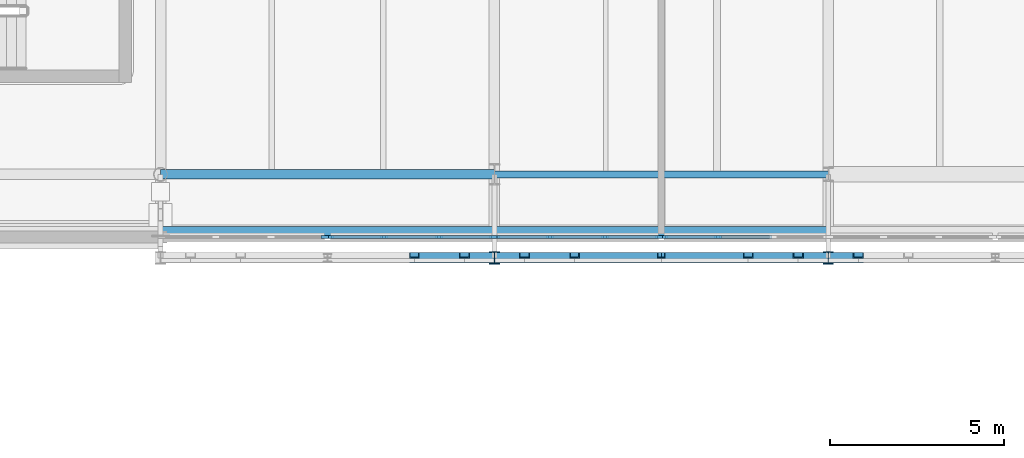
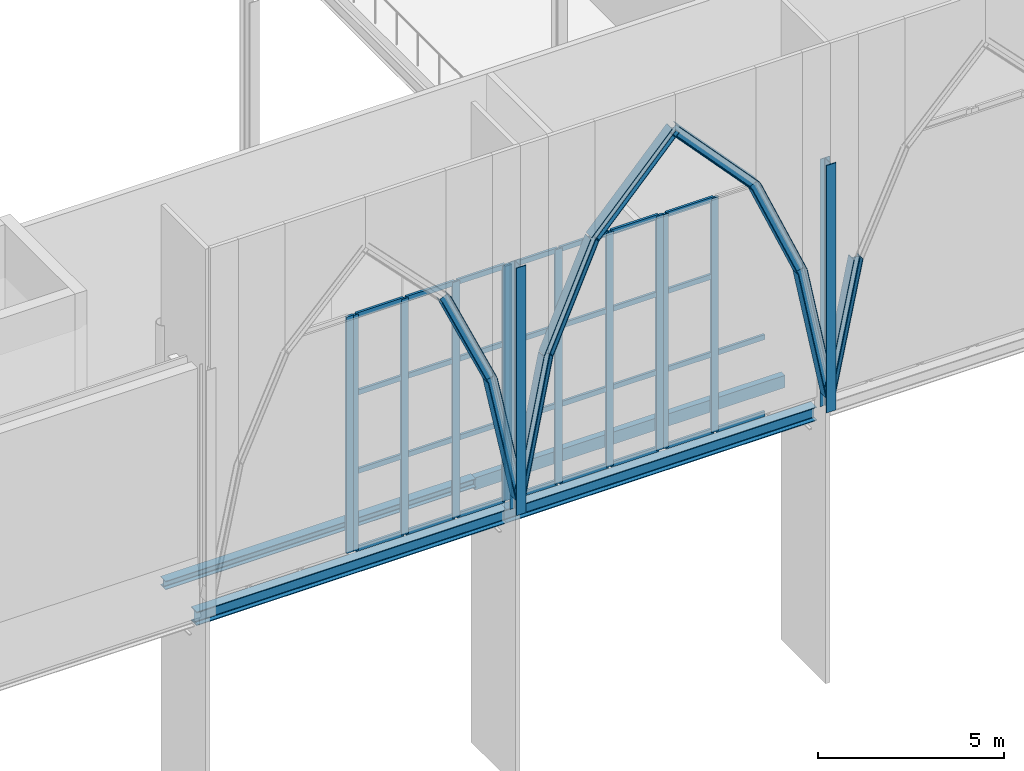
# One storey, part 25 of 79: 52 members, 4 beams, 4 elements without a shape of their own.
"""IFC4 building model written with IfcOpenShell, lengths in metres."""

from ifc_helpers import new_model, si_unit, direction, frame, origin, origin_2d, place, context, subcontext, project, spatial, rectangle, hollow_rectangle, i_section, extrude, material, layer, layer_set, material_profile, profile_set, type_object, element, aggregate, save


model = new_model("IFC4")

# Units and contexts
model_context = context("Model", 3, precision=1e-05, world=origin(), true_north=direction((0.0, 1.0)))
body_context = subcontext(model_context, "Body", "Model", "MODEL_VIEW")
ifc_project = project(units=[si_unit("LENGTHUNIT", "METRE"), si_unit("AREAUNIT", "SQUARE_METRE"), si_unit("VOLUMEUNIT", "CUBIC_METRE"), si_unit("PLANEANGLEUNIT", "RADIAN"), si_unit("MASSUNIT", "GRAM", prefix="KILO")], contexts=[model_context])

# Site, building, storey
site_placement = place(None, origin())
site = spatial("IfcSite", under=ifc_project, at=site_placement, CompositionType="ELEMENT")
building_placement = place(site_placement, origin())
building = spatial("IfcBuilding", under=site, at=building_placement, Name="Zereglee Splitstone Museum", CompositionType="ELEMENT")
storey_placement = place(building_placement, frame((0.0, 0.0, 9.0)))
storey = spatial("IfcBuildingStorey", under=building, at=storey_placement, Name="L02", CompositionType="ELEMENT", Elevation=9.0)

# Curtain wall, member
ifc_material_1 = material(Name="Triple-glazed low-E argon glass and bronze-anodised aluminium", Category="aluminium")
ifc_layer_1 = layer(ifc_material_1, 0.219970703125)
ifc_layer_set_1 = layer_set([ifc_layer_1], Name="Triple-glazed low-E argon glass and bronze-anodised aluminium")
curtain_wall_type_1 = type_object("IfcCurtainWallType", Name="CW-0476-774", PredefinedType="USERDEFINED", material=ifc_layer_set_1)
curtain_wall_1_placement = place(storey_placement, origin())
curtain_wall_1 = element("IfcCurtainWall", 1, at=curtain_wall_1_placement, inside=storey, type_object=curtain_wall_type_1, Name="Glazed Curtain Wall CW-0476-774 (L02)", ObjectType="GLAZED CURTAIN WALL", PredefinedType="USERDEFINED")
ifc_material_2 = material(Name="Thermally broken bronze-anodised aluminium", Category="aluminium")
ifc_material_profile_1 = material_profile(ifc_material_2, rectangle(XDim=0.074951171875, YDim=0.219970703125, at=origin_2d()), Name="CW MULL 75x220")
ifc_profile_set_1 = profile_set([ifc_material_profile_1], Name="Thermally broken bronze-anodised aluminium")
member_type_1 = type_object("IfcMemberType", Name="CWM-02", PredefinedType="MULLION", material=ifc_profile_set_1)
member_1_placement = place(storey_placement, frame((101.922607421875, 7.800048828125, 0.0), z_axis=(0.0, 0.0, 1.0), x_axis=(0.0, 1.0, 0.0)))
member_1 = element("IfcMember", 2, at=member_1_placement, type_object=member_type_1, Name="CW-0476-774 mullion 4", PredefinedType="MULLION", context=body_context, shape_type="SweptSolid", body=[
    extrude(rectangle(XDim=0.074951171875, YDim=0.219970703125, at=origin_2d()), origin(), (0.0, 0.0, 1.0), 7.739990234375),
])
aggregate(curtain_wall_1, [member_1])

# Curtain wall, members
ifc_layer_2 = layer(ifc_material_1, 0.219970703125)
ifc_layer_set_2 = layer_set([ifc_layer_2], Name="Triple-glazed low-E argon glass and bronze-anodised aluminium")
curtain_wall_type_2 = type_object("IfcCurtainWallType", Name="CW-0476-772", PredefinedType="USERDEFINED", material=ifc_layer_set_2)
curtain_wall_2_placement = place(storey_placement, origin())
curtain_wall_2 = element("IfcCurtainWall", 3, at=curtain_wall_2_placement, inside=storey, type_object=curtain_wall_type_2, Name="Glazed Curtain Wall CW-0476-772 (L02)", ObjectType="GLAZED CURTAIN WALL", PredefinedType="USERDEFINED")
member_2_placement = place(storey_placement, frame((102.077392578125, 7.800048828125, 0.0), z_axis=(0.0, 0.0, 1.0), x_axis=(0.0, 1.0, 0.0)))
member_2 = element("IfcMember", 4, at=member_2_placement, type_object=member_type_1, Name="CW-0476-772 mullion 1", PredefinedType="MULLION", context=body_context, shape_type="SweptSolid", body=[
    extrude(rectangle(XDim=0.074951171875, YDim=0.219970703125, at=origin_2d()), origin(), (0.0, 0.0, 1.0), 7.719970703125),
])
member_3_placement = place(storey_placement, frame((103.626708984375, 7.800048828125, 0.0), z_axis=(0.0, 0.0, 1.0), x_axis=(0.0, 1.0, 0.0)))
member_3 = element("IfcMember", 5, at=member_3_placement, type_object=member_type_1, Name="CW-0476-772 mullion 2", PredefinedType="MULLION", context=body_context, shape_type="SweptSolid", body=[
    extrude(rectangle(XDim=0.074951171875, YDim=0.219970703125, at=origin_2d()), origin(), (0.0, 0.0, 1.0), 7.719970703125),
])
member_4_placement = place(storey_placement, frame((105.21337890625, 7.800048828125, 0.0), z_axis=(0.0, 0.0, 1.0), x_axis=(0.0, 1.0, 0.0)))
member_4 = element("IfcMember", 6, at=member_4_placement, type_object=member_type_1, Name="CW-0476-772 mullion 3", PredefinedType="MULLION", context=body_context, shape_type="SweptSolid", body=[
    extrude(rectangle(XDim=0.074951171875, YDim=0.219970703125, at=origin_2d()), origin(), (0.0, 0.0, 1.0), 7.719970703125),
])
member_5_placement = place(storey_placement, frame((106.762451171875, 7.800048828125, 0.0), z_axis=(0.0, 0.0, 1.0), x_axis=(0.0, 1.0, 0.0)))
member_5 = element("IfcMember", 7, at=member_5_placement, type_object=member_type_1, Name="CW-0476-772 mullion 4", PredefinedType="MULLION", context=body_context, shape_type="SweptSolid", body=[
    extrude(rectangle(XDim=0.074951171875, YDim=0.219970703125, at=origin_2d()), origin(), (0.0, 0.0, 1.0), 7.719970703125),
])

ifc_layer_3 = layer(ifc_material_1, 0.219970703125)
ifc_layer_set_3 = layer_set([ifc_layer_3], Name="Triple-glazed low-E argon glass and bronze-anodised aluminium")
curtain_wall_type_3 = type_object("IfcCurtainWallType", Name="CW-0476-768", PredefinedType="USERDEFINED", material=ifc_layer_set_3)
curtain_wall_3_placement = place(storey_placement, origin())
curtain_wall_3 = element("IfcCurtainWall", 8, at=curtain_wall_3_placement, inside=storey, type_object=curtain_wall_type_3, Name="Glazed Curtain Wall CW-0476-768 (L02)", ObjectType="GLAZED CURTAIN WALL", PredefinedType="USERDEFINED")
member_6_placement = place(storey_placement, frame((106.83740234375, 7.800048828125, 0.0), z_axis=(0.0, 0.0, 1.0), x_axis=(0.0, 1.0, 0.0)))
member_6 = element("IfcMember", 9, at=member_6_placement, type_object=member_type_1, Name="CW-0476-768 mullion 1", PredefinedType="MULLION", context=body_context, shape_type="SweptSolid", body=[
    extrude(rectangle(XDim=0.074951171875, YDim=0.219970703125, at=origin_2d()), origin(), (0.0, 0.0, 1.0), 7.679931640625),
])
member_7_placement = place(storey_placement, frame((108.38671875, 7.800048828125, 0.0), z_axis=(0.0, 0.0, 1.0), x_axis=(0.0, 1.0, 0.0)))
member_7 = element("IfcMember", 10, at=member_7_placement, type_object=member_type_1, Name="CW-0476-768 mullion 2", PredefinedType="MULLION", context=body_context, shape_type="SweptSolid", body=[
    extrude(rectangle(XDim=0.074951171875, YDim=0.219970703125, at=origin_2d()), origin(), (0.0, 0.0, 1.0), 7.679931640625),
])
member_8_placement = place(storey_placement, frame((109.973388671875, 7.800048828125, 0.0), z_axis=(0.0, 0.0, 1.0), x_axis=(0.0, 1.0, 0.0)))
member_8 = element("IfcMember", 11, at=member_8_placement, type_object=member_type_1, Name="CW-0476-768 mullion 3", PredefinedType="MULLION", context=body_context, shape_type="SweptSolid", body=[
    extrude(rectangle(XDim=0.074951171875, YDim=0.219970703125, at=origin_2d()), origin(), (0.0, 0.0, 1.0), 7.679931640625),
])
member_9_placement = place(storey_placement, frame((111.5224609375, 7.800048828125, 0.0), z_axis=(0.0, 0.0, 1.0), x_axis=(0.0, 1.0, 0.0)))
member_9 = element("IfcMember", 12, at=member_9_placement, type_object=member_type_1, Name="CW-0476-768 mullion 4", PredefinedType="MULLION", context=body_context, shape_type="SweptSolid", body=[
    extrude(rectangle(XDim=0.074951171875, YDim=0.219970703125, at=origin_2d()), origin(), (0.0, 0.0, 1.0), 7.679931640625),
])

ifc_layer_4 = layer(ifc_material_1, 0.219970703125)
ifc_layer_set_4 = layer_set([ifc_layer_4], Name="Triple-glazed low-E argon glass and bronze-anodised aluminium")
curtain_wall_type_4 = type_object("IfcCurtainWallType", Name="CW-0476-766", PredefinedType="USERDEFINED", material=ifc_layer_set_4)
curtain_wall_4_placement = place(storey_placement, origin())
curtain_wall_4 = element("IfcCurtainWall", 13, at=curtain_wall_4_placement, inside=storey, type_object=curtain_wall_type_4, Name="Glazed Curtain Wall CW-0476-766 (L02)", ObjectType="GLAZED CURTAIN WALL", PredefinedType="USERDEFINED")
member_10_placement = place(storey_placement, frame((111.677490234375, 7.800048828125, 0.0), z_axis=(0.0, 0.0, 1.0), x_axis=(0.0, 1.0, 0.0)))
member_10 = element("IfcMember", 14, at=member_10_placement, type_object=member_type_1, Name="CW-0476-766 mullion 1", PredefinedType="MULLION", context=body_context, shape_type="SweptSolid", body=[
    extrude(rectangle(XDim=0.074951171875, YDim=0.219970703125, at=origin_2d()), origin(), (0.0, 0.0, 1.0), 7.659912109375),
])
member_11_placement = place(storey_placement, frame((113.2265625, 7.800048828125, 0.0), z_axis=(0.0, 0.0, 1.0), x_axis=(0.0, 1.0, 0.0)))
member_11 = element("IfcMember", 15, at=member_11_placement, type_object=member_type_1, Name="CW-0476-766 mullion 2", PredefinedType="MULLION", context=body_context, shape_type="SweptSolid", body=[
    extrude(rectangle(XDim=0.074951171875, YDim=0.219970703125, at=origin_2d()), origin(), (0.0, 0.0, 1.0), 7.659912109375),
])

# Member
ifc_material_profile_2 = material_profile(ifc_material_2, rectangle(XDim=0.074951171875, YDim=0.1650390625, at=origin_2d()), Name="CW TRAN 75x165")
ifc_profile_set_2 = profile_set([ifc_material_profile_2], Name="Thermally broken bronze-anodised aluminium")
member_type_2 = type_object("IfcMemberType", Name="CWT-02", PredefinedType="USERDEFINED", material=ifc_profile_set_2)
member_12_placement = place(storey_placement, frame((102.114990234375, 7.800048828125, 0.03759765625), z_axis=(1.0, 0.0, 0.0), x_axis=(0.0, 1.0, 0.0)))
member_12 = element("IfcMember", 16, at=member_12_placement, type_object=member_type_2, Name="CW-0476-772 transom 1.1", ObjectType="TRANSOM", PredefinedType="USERDEFINED", context=body_context, shape_type="SweptSolid", body=[
    extrude(rectangle(XDim=0.074951171875, YDim=0.1650390625, at=origin_2d()), origin(), (0.0, 0.0, 1.0), 1.47412109375),
])

member_13_placement = place(storey_placement, frame((102.114990234375, 7.800048828125, 2.5732421875), z_axis=(1.0, 0.0, 0.0), x_axis=(0.0, 1.0, 0.0)))
member_13 = element("IfcMember", 17, at=member_13_placement, type_object=member_type_2, Name="CW-0476-772 transom 1.2", ObjectType="TRANSOM", PredefinedType="USERDEFINED", context=body_context, shape_type="SweptSolid", body=[
    extrude(rectangle(XDim=0.074951171875, YDim=0.1650390625, at=origin_2d()), origin(), (0.0, 0.0, 1.0), 1.47412109375),
])

member_14_placement = place(storey_placement, frame((102.114990234375, 7.800048828125, 5.146728515625), z_axis=(1.0, 0.0, 0.0), x_axis=(0.0, 1.0, 0.0)))
member_14 = element("IfcMember", 18, at=member_14_placement, type_object=member_type_2, Name="CW-0476-772 transom 1.3", ObjectType="TRANSOM", PredefinedType="USERDEFINED", context=body_context, shape_type="SweptSolid", body=[
    extrude(rectangle(XDim=0.074951171875, YDim=0.1650390625, at=origin_2d()), origin(), (0.0, 0.0, 1.0), 1.47412109375),
])

member_15_placement = place(storey_placement, frame((102.114990234375, 7.800048828125, 7.6826171875), z_axis=(1.0, 0.0, 0.0), x_axis=(0.0, 1.0, 0.0)))
member_15 = element("IfcMember", 19, at=member_15_placement, type_object=member_type_2, Name="CW-0476-772 transom 1.4", ObjectType="TRANSOM", PredefinedType="USERDEFINED", context=body_context, shape_type="SweptSolid", body=[
    extrude(rectangle(XDim=0.074951171875, YDim=0.1650390625, at=origin_2d()), origin(), (0.0, 0.0, 1.0), 1.47412109375),
])

member_16_placement = place(storey_placement, frame((103.6640625, 7.800048828125, 0.03759765625), z_axis=(1.0, 0.0, 0.0), x_axis=(0.0, 1.0, 0.0)))
member_16 = element("IfcMember", 20, at=member_16_placement, type_object=member_type_2, Name="CW-0476-772 transom 2.1", ObjectType="TRANSOM", PredefinedType="USERDEFINED", context=body_context, shape_type="SweptSolid", body=[
    extrude(rectangle(XDim=0.074951171875, YDim=0.1650390625, at=origin_2d()), origin(), (0.0, 0.0, 1.0), 1.51171875),
])

member_17_placement = place(storey_placement, frame((103.6640625, 7.800048828125, 2.5732421875), z_axis=(1.0, 0.0, 0.0), x_axis=(0.0, 1.0, 0.0)))
member_17 = element("IfcMember", 21, at=member_17_placement, type_object=member_type_2, Name="CW-0476-772 transom 2.2", ObjectType="TRANSOM", PredefinedType="USERDEFINED", context=body_context, shape_type="SweptSolid", body=[
    extrude(rectangle(XDim=0.074951171875, YDim=0.1650390625, at=origin_2d()), origin(), (0.0, 0.0, 1.0), 1.51171875),
])

member_18_placement = place(storey_placement, frame((103.6640625, 7.800048828125, 5.146728515625), z_axis=(1.0, 0.0, 0.0), x_axis=(0.0, 1.0, 0.0)))
member_18 = element("IfcMember", 22, at=member_18_placement, type_object=member_type_2, Name="CW-0476-772 transom 2.3", ObjectType="TRANSOM", PredefinedType="USERDEFINED", context=body_context, shape_type="SweptSolid", body=[
    extrude(rectangle(XDim=0.074951171875, YDim=0.1650390625, at=origin_2d()), origin(), (0.0, 0.0, 1.0), 1.51171875),
])

member_19_placement = place(storey_placement, frame((103.6640625, 7.800048828125, 7.6826171875), z_axis=(1.0, 0.0, 0.0), x_axis=(0.0, 1.0, 0.0)))
member_19 = element("IfcMember", 23, at=member_19_placement, type_object=member_type_2, Name="CW-0476-772 transom 2.4", ObjectType="TRANSOM", PredefinedType="USERDEFINED", context=body_context, shape_type="SweptSolid", body=[
    extrude(rectangle(XDim=0.074951171875, YDim=0.1650390625, at=origin_2d()), origin(), (0.0, 0.0, 1.0), 1.51171875),
])

member_20_placement = place(storey_placement, frame((105.250732421875, 7.800048828125, 0.03759765625), z_axis=(1.0, 0.0, 0.0), x_axis=(0.0, 1.0, 0.0)))
member_20 = element("IfcMember", 24, at=member_20_placement, type_object=member_type_2, Name="CW-0476-772 transom 3.1", ObjectType="TRANSOM", PredefinedType="USERDEFINED", context=body_context, shape_type="SweptSolid", body=[
    extrude(rectangle(XDim=0.074951171875, YDim=0.1650390625, at=origin_2d()), origin(), (0.0, 0.0, 1.0), 1.474365234375),
])

member_21_placement = place(storey_placement, frame((105.250732421875, 7.800048828125, 2.5732421875), z_axis=(1.0, 0.0, 0.0), x_axis=(0.0, 1.0, 0.0)))
member_21 = element("IfcMember", 25, at=member_21_placement, type_object=member_type_2, Name="CW-0476-772 transom 3.2", ObjectType="TRANSOM", PredefinedType="USERDEFINED", context=body_context, shape_type="SweptSolid", body=[
    extrude(rectangle(XDim=0.074951171875, YDim=0.1650390625, at=origin_2d()), origin(), (0.0, 0.0, 1.0), 1.474365234375),
])

member_22_placement = place(storey_placement, frame((105.250732421875, 7.800048828125, 5.146728515625), z_axis=(1.0, 0.0, 0.0), x_axis=(0.0, 1.0, 0.0)))
member_22 = element("IfcMember", 26, at=member_22_placement, type_object=member_type_2, Name="CW-0476-772 transom 3.3", ObjectType="TRANSOM", PredefinedType="USERDEFINED", context=body_context, shape_type="SweptSolid", body=[
    extrude(rectangle(XDim=0.074951171875, YDim=0.1650390625, at=origin_2d()), origin(), (0.0, 0.0, 1.0), 1.474365234375),
])

member_23_placement = place(storey_placement, frame((105.250732421875, 7.800048828125, 7.6826171875), z_axis=(1.0, 0.0, 0.0), x_axis=(0.0, 1.0, 0.0)))
member_23 = element("IfcMember", 27, at=member_23_placement, type_object=member_type_2, Name="CW-0476-772 transom 3.4", ObjectType="TRANSOM", PredefinedType="USERDEFINED", context=body_context, shape_type="SweptSolid", body=[
    extrude(rectangle(XDim=0.074951171875, YDim=0.1650390625, at=origin_2d()), origin(), (0.0, 0.0, 1.0), 1.474365234375),
])

aggregate(curtain_wall_2, [member_2, member_3, member_4, member_5, member_12, member_13, member_14, member_15, member_16, member_17, member_18, member_19, member_20, member_21, member_22, member_23])

member_24_placement = place(storey_placement, frame((106.875, 7.800048828125, 0.03759765625), z_axis=(1.0, 0.0, 0.0), x_axis=(0.0, 1.0, 0.0)))
member_24 = element("IfcMember", 28, at=member_24_placement, type_object=member_type_2, Name="CW-0476-768 transom 1.1", ObjectType="TRANSOM", PredefinedType="USERDEFINED", context=body_context, shape_type="SweptSolid", body=[
    extrude(rectangle(XDim=0.074951171875, YDim=0.1650390625, at=origin_2d()), origin(), (0.0, 0.0, 1.0), 1.47412109375),
])

member_25_placement = place(storey_placement, frame((106.875, 7.800048828125, 2.56005859375), z_axis=(1.0, 0.0, 0.0), x_axis=(0.0, 1.0, 0.0)))
member_25 = element("IfcMember", 29, at=member_25_placement, type_object=member_type_2, Name="CW-0476-768 transom 1.2", ObjectType="TRANSOM", PredefinedType="USERDEFINED", context=body_context, shape_type="SweptSolid", body=[
    extrude(rectangle(XDim=0.074951171875, YDim=0.1650390625, at=origin_2d()), origin(), (0.0, 0.0, 1.0), 1.47412109375),
])

member_26_placement = place(storey_placement, frame((106.875, 7.800048828125, 5.1201171875), z_axis=(1.0, 0.0, 0.0), x_axis=(0.0, 1.0, 0.0)))
member_26 = element("IfcMember", 30, at=member_26_placement, type_object=member_type_2, Name="CW-0476-768 transom 1.3", ObjectType="TRANSOM", PredefinedType="USERDEFINED", context=body_context, shape_type="SweptSolid", body=[
    extrude(rectangle(XDim=0.074951171875, YDim=0.1650390625, at=origin_2d()), origin(), (0.0, 0.0, 1.0), 1.47412109375),
])

member_27_placement = place(storey_placement, frame((106.875, 7.800048828125, 7.642578125), z_axis=(1.0, 0.0, 0.0), x_axis=(0.0, 1.0, 0.0)))
member_27 = element("IfcMember", 31, at=member_27_placement, type_object=member_type_2, Name="CW-0476-768 transom 1.4", ObjectType="TRANSOM", PredefinedType="USERDEFINED", context=body_context, shape_type="SweptSolid", body=[
    extrude(rectangle(XDim=0.074951171875, YDim=0.1650390625, at=origin_2d()), origin(), (0.0, 0.0, 1.0), 1.47412109375),
])

member_28_placement = place(storey_placement, frame((108.424072265625, 7.800048828125, 0.03759765625), z_axis=(1.0, 0.0, 0.0), x_axis=(0.0, 1.0, 0.0)))
member_28 = element("IfcMember", 32, at=member_28_placement, type_object=member_type_2, Name="CW-0476-768 transom 2.1", ObjectType="TRANSOM", PredefinedType="USERDEFINED", context=body_context, shape_type="SweptSolid", body=[
    extrude(rectangle(XDim=0.074951171875, YDim=0.1650390625, at=origin_2d()), origin(), (0.0, 0.0, 1.0), 1.51171875),
])

member_29_placement = place(storey_placement, frame((108.424072265625, 7.800048828125, 2.56005859375), z_axis=(1.0, 0.0, 0.0), x_axis=(0.0, 1.0, 0.0)))
member_29 = element("IfcMember", 33, at=member_29_placement, type_object=member_type_2, Name="CW-0476-768 transom 2.2", ObjectType="TRANSOM", PredefinedType="USERDEFINED", context=body_context, shape_type="SweptSolid", body=[
    extrude(rectangle(XDim=0.074951171875, YDim=0.1650390625, at=origin_2d()), origin(), (0.0, 0.0, 1.0), 1.51171875),
])

member_30_placement = place(storey_placement, frame((108.424072265625, 7.800048828125, 5.1201171875), z_axis=(1.0, 0.0, 0.0), x_axis=(0.0, 1.0, 0.0)))
member_30 = element("IfcMember", 34, at=member_30_placement, type_object=member_type_2, Name="CW-0476-768 transom 2.3", ObjectType="TRANSOM", PredefinedType="USERDEFINED", context=body_context, shape_type="SweptSolid", body=[
    extrude(rectangle(XDim=0.074951171875, YDim=0.1650390625, at=origin_2d()), origin(), (0.0, 0.0, 1.0), 1.51171875),
])

member_31_placement = place(storey_placement, frame((108.424072265625, 7.800048828125, 7.642578125), z_axis=(1.0, 0.0, 0.0), x_axis=(0.0, 1.0, 0.0)))
member_31 = element("IfcMember", 35, at=member_31_placement, type_object=member_type_2, Name="CW-0476-768 transom 2.4", ObjectType="TRANSOM", PredefinedType="USERDEFINED", context=body_context, shape_type="SweptSolid", body=[
    extrude(rectangle(XDim=0.074951171875, YDim=0.1650390625, at=origin_2d()), origin(), (0.0, 0.0, 1.0), 1.51171875),
])

member_32_placement = place(storey_placement, frame((110.0107421875, 7.800048828125, 0.03759765625), z_axis=(1.0, 0.0, 0.0), x_axis=(0.0, 1.0, 0.0)))
member_32 = element("IfcMember", 36, at=member_32_placement, type_object=member_type_2, Name="CW-0476-768 transom 3.1", ObjectType="TRANSOM", PredefinedType="USERDEFINED", context=body_context, shape_type="SweptSolid", body=[
    extrude(rectangle(XDim=0.074951171875, YDim=0.1650390625, at=origin_2d()), origin(), (0.0, 0.0, 1.0), 1.474365234375),
])

member_33_placement = place(storey_placement, frame((110.0107421875, 7.800048828125, 2.56005859375), z_axis=(1.0, 0.0, 0.0), x_axis=(0.0, 1.0, 0.0)))
member_33 = element("IfcMember", 37, at=member_33_placement, type_object=member_type_2, Name="CW-0476-768 transom 3.2", ObjectType="TRANSOM", PredefinedType="USERDEFINED", context=body_context, shape_type="SweptSolid", body=[
    extrude(rectangle(XDim=0.074951171875, YDim=0.1650390625, at=origin_2d()), origin(), (0.0, 0.0, 1.0), 1.474365234375),
])

member_34_placement = place(storey_placement, frame((110.0107421875, 7.800048828125, 5.1201171875), z_axis=(1.0, 0.0, 0.0), x_axis=(0.0, 1.0, 0.0)))
member_34 = element("IfcMember", 38, at=member_34_placement, type_object=member_type_2, Name="CW-0476-768 transom 3.3", ObjectType="TRANSOM", PredefinedType="USERDEFINED", context=body_context, shape_type="SweptSolid", body=[
    extrude(rectangle(XDim=0.074951171875, YDim=0.1650390625, at=origin_2d()), origin(), (0.0, 0.0, 1.0), 1.474365234375),
])

member_35_placement = place(storey_placement, frame((110.0107421875, 7.800048828125, 7.642578125), z_axis=(1.0, 0.0, 0.0), x_axis=(0.0, 1.0, 0.0)))
member_35 = element("IfcMember", 39, at=member_35_placement, type_object=member_type_2, Name="CW-0476-768 transom 3.4", ObjectType="TRANSOM", PredefinedType="USERDEFINED", context=body_context, shape_type="SweptSolid", body=[
    extrude(rectangle(XDim=0.074951171875, YDim=0.1650390625, at=origin_2d()), origin(), (0.0, 0.0, 1.0), 1.474365234375),
])

aggregate(curtain_wall_3, [member_6, member_7, member_8, member_9, member_24, member_25, member_26, member_27, member_28, member_29, member_30, member_31, member_32, member_33, member_34, member_35])

member_36_placement = place(storey_placement, frame((111.715087890625, 7.800048828125, 0.03759765625), z_axis=(1.0, 0.0, 0.0), x_axis=(0.0, 1.0, 0.0)))
member_36 = element("IfcMember", 40, at=member_36_placement, type_object=member_type_2, Name="CW-0476-766 transom 1.1", ObjectType="TRANSOM", PredefinedType="USERDEFINED", context=body_context, shape_type="SweptSolid", body=[
    extrude(rectangle(XDim=0.074951171875, YDim=0.1650390625, at=origin_2d()), origin(), (0.0, 0.0, 1.0), 1.47412109375),
])

member_37_placement = place(storey_placement, frame((111.715087890625, 7.800048828125, 2.55322265625), z_axis=(1.0, 0.0, 0.0), x_axis=(0.0, 1.0, 0.0)))
member_37 = element("IfcMember", 41, at=member_37_placement, type_object=member_type_2, Name="CW-0476-766 transom 1.2", ObjectType="TRANSOM", PredefinedType="USERDEFINED", context=body_context, shape_type="SweptSolid", body=[
    extrude(rectangle(XDim=0.074951171875, YDim=0.1650390625, at=origin_2d()), origin(), (0.0, 0.0, 1.0), 1.47412109375),
])

member_38_placement = place(storey_placement, frame((111.715087890625, 7.800048828125, 5.106689453125), z_axis=(1.0, 0.0, 0.0), x_axis=(0.0, 1.0, 0.0)))
member_38 = element("IfcMember", 42, at=member_38_placement, type_object=member_type_2, Name="CW-0476-766 transom 1.3", ObjectType="TRANSOM", PredefinedType="USERDEFINED", context=body_context, shape_type="SweptSolid", body=[
    extrude(rectangle(XDim=0.074951171875, YDim=0.1650390625, at=origin_2d()), origin(), (0.0, 0.0, 1.0), 1.47412109375),
])

member_39_placement = place(storey_placement, frame((111.715087890625, 7.800048828125, 7.62255859375), z_axis=(1.0, 0.0, 0.0), x_axis=(0.0, 1.0, 0.0)))
member_39 = element("IfcMember", 43, at=member_39_placement, type_object=member_type_2, Name="CW-0476-766 transom 1.4", ObjectType="TRANSOM", PredefinedType="USERDEFINED", context=body_context, shape_type="SweptSolid", body=[
    extrude(rectangle(XDim=0.074951171875, YDim=0.1650390625, at=origin_2d()), origin(), (0.0, 0.0, 1.0), 1.47412109375),
])

member_40_placement = place(storey_placement, frame((113.26416015625, 7.800048828125, 0.03759765625), z_axis=(1.0, 0.0, 0.0), x_axis=(0.0, 1.0, 0.0)))
member_40 = element("IfcMember", 44, at=member_40_placement, type_object=member_type_2, Name="CW-0476-766 transom 2.1", ObjectType="TRANSOM", PredefinedType="USERDEFINED", context=body_context, shape_type="SweptSolid", body=[
    extrude(rectangle(XDim=0.074951171875, YDim=0.1650390625, at=origin_2d()), origin(), (0.0, 0.0, 1.0), 1.51171875),
])

member_41_placement = place(storey_placement, frame((113.26416015625, 7.800048828125, 2.55322265625), z_axis=(1.0, 0.0, 0.0), x_axis=(0.0, 1.0, 0.0)))
member_41 = element("IfcMember", 45, at=member_41_placement, type_object=member_type_2, Name="CW-0476-766 transom 2.2", ObjectType="TRANSOM", PredefinedType="USERDEFINED", context=body_context, shape_type="SweptSolid", body=[
    extrude(rectangle(XDim=0.074951171875, YDim=0.1650390625, at=origin_2d()), origin(), (0.0, 0.0, 1.0), 1.51171875),
])

aggregate(curtain_wall_4, [member_10, member_11, member_36, member_37, member_38, member_39, member_40, member_41])

# Members
ifc_material_3 = material(Name="Steel S355J2", Category="steel")
ifc_material_profile_3 = material_profile(ifc_material_3, i_section(OverallWidth=0.300048828125, OverallDepth=0.300048828125, WebThickness=0.010986328125, FlangeThickness=0.01904296875, FilletRadius=0.027099609375, at=origin_2d()), Name="HE 300 B")
ifc_profile_set_3 = profile_set([ifc_material_profile_3], Name="Steel S355J2")
member_type_3 = type_object("IfcMemberType", Name="TC-08", PredefinedType="CHORD", material=ifc_profile_set_3)
member_42_placement = place(storey_placement, frame((104.49609375, 7.199951171875, 7.825927734375), z_axis=(0.413792372507, 0.0, -0.910371282749), x_axis=(0.0, 1.0, 0.0)))
element("IfcMember", 46, at=member_42_placement, inside=storey, type_object=member_type_3, Name="Mughal Four-Centred Pointed Arch Rib PSQ-ATRS-1-5", PredefinedType="CHORD", context=body_context, shape_type="SweptSolid", body=[
    extrude(i_section(OverallWidth=0.300048828125, OverallDepth=0.300048828125, WebThickness=0.010986328125, FlangeThickness=0.01904296875, FilletRadius=0.027099609375, at=origin_2d()), origin(), (0.0, 0.0, 1.0), 3.47998046875),
])
member_43_placement = place(storey_placement, frame((105.93603515625, 7.199951171875, 4.657958984375), z_axis=(0.203451466719, 0.0, -0.97908503241), x_axis=(0.0, 1.0, 0.0)))
element("IfcMember", 47, at=member_43_placement, inside=storey, type_object=member_type_3, Name="Mughal Four-Centred Pointed Arch Rib PSQ-ATRS-1-6", PredefinedType="CHORD", context=body_context, shape_type="SweptSolid", body=[
    extrude(i_section(OverallWidth=0.300048828125, OverallDepth=0.300048828125, WebThickness=0.010986328125, FlangeThickness=0.01904296875, FilletRadius=0.027099609375, at=origin_2d()), origin(), (0.0, 0.0, 1.0), 4.246826171875),
])
member_44_placement = place(storey_placement, frame((106.800048828125, 7.199951171875, 0.5), z_axis=(0.194950707798, 0.0, 0.980813041068), x_axis=(0.0, 1.0, 0.0)))
element("IfcMember", 48, at=member_44_placement, inside=storey, type_object=member_type_3, Name="Mughal Four-Centred Pointed Arch Rib PSQ-ATRS-2-1", PredefinedType="CHORD", context=body_context, shape_type="SweptSolid", body=[
    extrude(i_section(OverallWidth=0.300048828125, OverallDepth=0.300048828125, WebThickness=0.010986328125, FlangeThickness=0.01904296875, FilletRadius=0.027099609375, at=origin_2d()), origin(), (0.0, 0.0, 1.0), 4.431884765625),
])
member_45_placement = place(storey_placement, frame((107.6640625, 7.199951171875, 4.846923828125), z_axis=(0.398711279961, 0.0, 0.917076504569), x_axis=(0.0, 1.0, 0.0)))
element("IfcMember", 49, at=member_45_placement, inside=storey, type_object=member_type_3, Name="Mughal Four-Centred Pointed Arch Rib PSQ-ATRS-2-2", PredefinedType="CHORD", context=body_context, shape_type="SweptSolid", body=[
    extrude(i_section(OverallWidth=0.300048828125, OverallDepth=0.300048828125, WebThickness=0.010986328125, FlangeThickness=0.01904296875, FilletRadius=0.027099609375, at=origin_2d()), origin(), (0.0, 0.0, 1.0), 3.611572265625),
])
member_46_placement = place(storey_placement, frame((109.10400390625, 7.199951171875, 8.158935546875), z_axis=(0.680035143072, 0.0, 0.733179517027), x_axis=(0.0, 1.0, 0.0)))
element("IfcMember", 50, at=member_46_placement, inside=storey, type_object=member_type_3, Name="Mughal Four-Centred Pointed Arch Rib PSQ-ATRS-2-3", PredefinedType="CHORD", context=body_context, shape_type="SweptSolid", body=[
    extrude(i_section(OverallWidth=0.300048828125, OverallDepth=0.300048828125, WebThickness=0.010986328125, FlangeThickness=0.01904296875, FilletRadius=0.027099609375, at=origin_2d()), origin(), (0.0, 0.0, 1.0), 3.670654296875),
])
member_47_placement = place(storey_placement, frame((111.60009765625, 7.199951171875, 10.85009765625), z_axis=(0.679999386108, 0.0, -0.733212680531), x_axis=(0.0, 1.0, 0.0)))
element("IfcMember", 51, at=member_47_placement, inside=storey, type_object=member_type_3, Name="Mughal Four-Centred Pointed Arch Rib PSQ-ATRS-2-4", PredefinedType="CHORD", context=body_context, shape_type="SweptSolid", body=[
    extrude(i_section(OverallWidth=0.300048828125, OverallDepth=0.300048828125, WebThickness=0.010986328125, FlangeThickness=0.01904296875, FilletRadius=0.027099609375, at=origin_2d()), origin(), (0.0, 0.0, 1.0), 3.67041015625),
])
member_48_placement = place(storey_placement, frame((114.095947265625, 7.199951171875, 8.158935546875), z_axis=(0.398711279961, 0.0, -0.917076504569), x_axis=(0.0, 1.0, 0.0)))
element("IfcMember", 52, at=member_48_placement, inside=storey, type_object=member_type_3, Name="Mughal Four-Centred Pointed Arch Rib PSQ-ATRS-2-5", PredefinedType="CHORD", context=body_context, shape_type="SweptSolid", body=[
    extrude(i_section(OverallWidth=0.300048828125, OverallDepth=0.300048828125, WebThickness=0.010986328125, FlangeThickness=0.01904296875, FilletRadius=0.027099609375, at=origin_2d()), origin(), (0.0, 0.0, 1.0), 3.611572265625),
])
member_49_placement = place(storey_placement, frame((115.535888671875, 7.199951171875, 4.846923828125), z_axis=(0.194950707798, 0.0, -0.980813041068), x_axis=(0.0, 1.0, 0.0)))
element("IfcMember", 53, at=member_49_placement, inside=storey, type_object=member_type_3, Name="Mughal Four-Centred Pointed Arch Rib PSQ-ATRS-2-6", PredefinedType="CHORD", context=body_context, shape_type="SweptSolid", body=[
    extrude(i_section(OverallWidth=0.300048828125, OverallDepth=0.300048828125, WebThickness=0.010986328125, FlangeThickness=0.01904296875, FilletRadius=0.027099609375, at=origin_2d()), origin(), (0.0, 0.0, 1.0), 4.431884765625),
])
member_50_placement = place(storey_placement, frame((116.39990234375, 7.199951171875, 0.5), z_axis=(0.203451466719, 0.0, 0.97908503241), x_axis=(0.0, 1.0, 0.0)))
element("IfcMember", 54, at=member_50_placement, inside=storey, type_object=member_type_3, Name="Mughal Four-Centred Pointed Arch Rib PSQ-ATRS-3-1", PredefinedType="CHORD", context=body_context, shape_type="SweptSolid", body=[
    extrude(i_section(OverallWidth=0.300048828125, OverallDepth=0.300048828125, WebThickness=0.010986328125, FlangeThickness=0.01904296875, FilletRadius=0.027099609375, at=origin_2d()), origin(), (0.0, 0.0, 1.0), 4.246826171875),
])
ifc_material_profile_4 = material_profile(ifc_material_3, i_section(OverallWidth=0.300048828125, OverallDepth=0.360107421875, WebThickness=0.012451171875, FlangeThickness=0.0224609375, FilletRadius=0.027099609375, at=origin_2d()), Name="HE 360 B")
ifc_profile_set_4 = profile_set([ifc_material_profile_4], Name="Steel S355J2")
member_type_4 = type_object("IfcMemberType", Name="TC-06", PredefinedType="CHORD", material=ifc_profile_set_4)
for number, where, z_axis, x_axis, name in (
    (55, (106.800048828125, 7.199951171875, 0.0), (0.0, 0.0, 1.0), (1.0, 0.0, 0.0), "Mughal Guldasta Hovering Portal Pier G06 L02"),
    (56, (116.39990234375, 7.199951171875, 0.0), (0.0, 0.0, 1.0), (1.0, 0.0, 0.0), "Mughal Guldasta Hovering Portal Pier G07 L02"),
):
    element("IfcMember", number, at=place(storey_placement, frame(where, z_axis=z_axis, x_axis=x_axis)), inside=storey, type_object=member_type_4, Name=name, PredefinedType="CHORD", context=body_context, shape_type="SweptSolid", body=[
        extrude(i_section(OverallWidth=0.300048828125, OverallDepth=0.360107421875, WebThickness=0.012451171875, FlangeThickness=0.0224609375, FilletRadius=0.027099609375, at=origin_2d()), origin(), (0.0, 0.0, 1.0), 8.10009765625),
    ])

# Beams
ifc_material_profile_5 = material_profile(ifc_material_3, i_section(OverallWidth=0.280029296875, OverallDepth=0.280029296875, WebThickness=0.010498046875, FlangeThickness=0.01806640625, FilletRadius=0.02392578125, at=origin_2d()), Name="HE 280 B")
ifc_profile_set_5 = profile_set([ifc_material_profile_5], Name="Steel S355J2")
beam_type_1 = type_object("IfcBeamType", Name="SP-03", PredefinedType="SPANDREL", material=ifc_profile_set_5)
beam_1_placement = place(storey_placement, frame((97.199951171875, 9.60009765625, -0.4599609375), z_axis=(1.0, 0.0, 0.0), x_axis=(0.0, 1.0, 0.0)))
element("IfcBeam", 57, at=beam_1_placement, inside=storey, type_object=beam_type_1, Name="Primary Girder L02 B (97.2-106.8)", PredefinedType="SPANDREL", context=body_context, shape_type="SweptSolid", body=[
    extrude(i_section(OverallWidth=0.280029296875, OverallDepth=0.280029296875, WebThickness=0.010498046875, FlangeThickness=0.01806640625, FilletRadius=0.02392578125, at=origin_2d()), origin(), (0.0, 0.0, 1.0), 9.60009765625),
])
ifc_material_profile_6 = material_profile(ifc_material_3, i_section(OverallWidth=0.300048828125, OverallDepth=0.449951171875, WebThickness=0.013916015625, FlangeThickness=0.02587890625, FilletRadius=0.027099609375, at=origin_2d()), Name="HE 450 B")
ifc_profile_set_6 = profile_set([ifc_material_profile_6], Name="Steel S355J2")
beam_type_2 = type_object("IfcBeamType", Name="SP-02", PredefinedType="SPANDREL", material=ifc_profile_set_6)
beam_2_placement = place(storey_placement, frame((97.199951171875, 7.949951171875, -0.544921875), z_axis=(1.0, 0.0, 0.0), x_axis=(0.0, 1.0, 0.0)))
element("IfcBeam", 58, at=beam_2_placement, inside=storey, type_object=beam_type_2, Name="Hovering Soffit Spandrel L02 (97.2-106.8)", PredefinedType="SPANDREL", context=body_context, shape_type="SweptSolid", body=[
    extrude(i_section(OverallWidth=0.300048828125, OverallDepth=0.449951171875, WebThickness=0.013916015625, FlangeThickness=0.02587890625, FilletRadius=0.027099609375, at=origin_2d()), origin(), (0.0, 0.0, 1.0), 9.60009765625),
])
beam_3_placement = place(storey_placement, frame((106.800048828125, 7.949951171875, -0.544921875), z_axis=(1.0, 0.0, 0.0), x_axis=(0.0, 1.0, 0.0)))
element("IfcBeam", 59, at=beam_3_placement, inside=storey, type_object=beam_type_2, Name="Hovering Soffit Spandrel L02 (106.8-116.4)", PredefinedType="SPANDREL", context=body_context, shape_type="SweptSolid", body=[
    extrude(i_section(OverallWidth=0.300048828125, OverallDepth=0.449951171875, WebThickness=0.013916015625, FlangeThickness=0.02587890625, FilletRadius=0.027099609375, at=origin_2d()), origin(), (0.0, 0.0, 1.0), 9.599853515625),
])
ifc_material_4 = material(Name="Steel S355J2H", Category="steel")
ifc_material_profile_7 = material_profile(ifc_material_4, hollow_rectangle(XDim=0.199951171875, YDim=0.39990234375, WallThickness=0.01611328125, at=origin_2d()), Name="RHS 400x200x16")
ifc_profile_set_7 = profile_set([ifc_material_profile_7], Name="Steel S355J2H")
beam_type_3 = type_object("IfcBeamType", Name="SP-04", PredefinedType="SPANDREL", material=ifc_profile_set_7)
beam_4_placement = place(storey_placement, frame((106.800048828125, 9.60009765625, -0.52001953125), z_axis=(1.0, 0.0, 0.0), x_axis=(0.0, 1.0, 0.0)))
element("IfcBeam", 60, at=beam_4_placement, inside=storey, type_object=beam_type_3, Name="Primary Girder L02 B (106.8-116.4)", PredefinedType="SPANDREL", context=body_context, shape_type="SweptSolid", body=[
    extrude(hollow_rectangle(XDim=0.199951171875, YDim=0.39990234375, WallThickness=0.01611328125, at=origin_2d()), origin(), (0.0, 0.0, 1.0), 9.599853515625),
])

save(model, "model.ifc")
